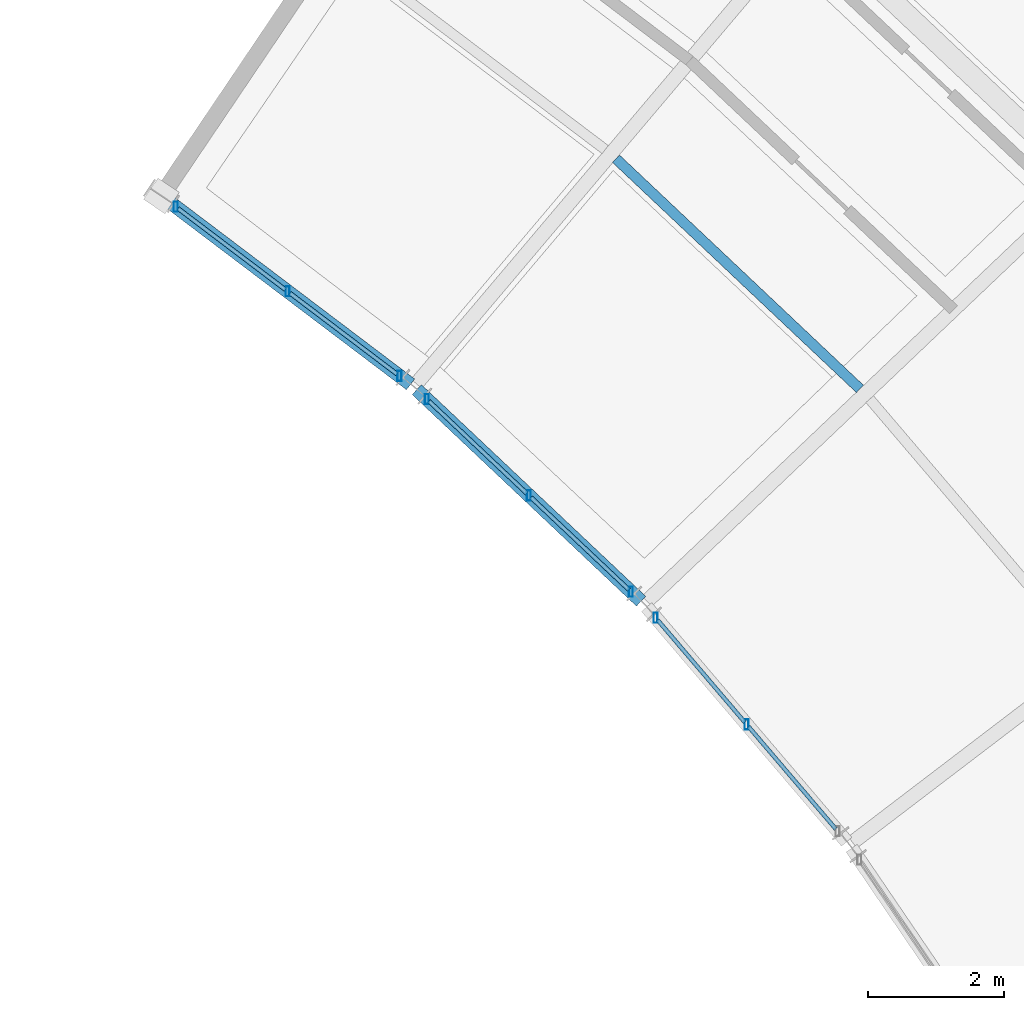
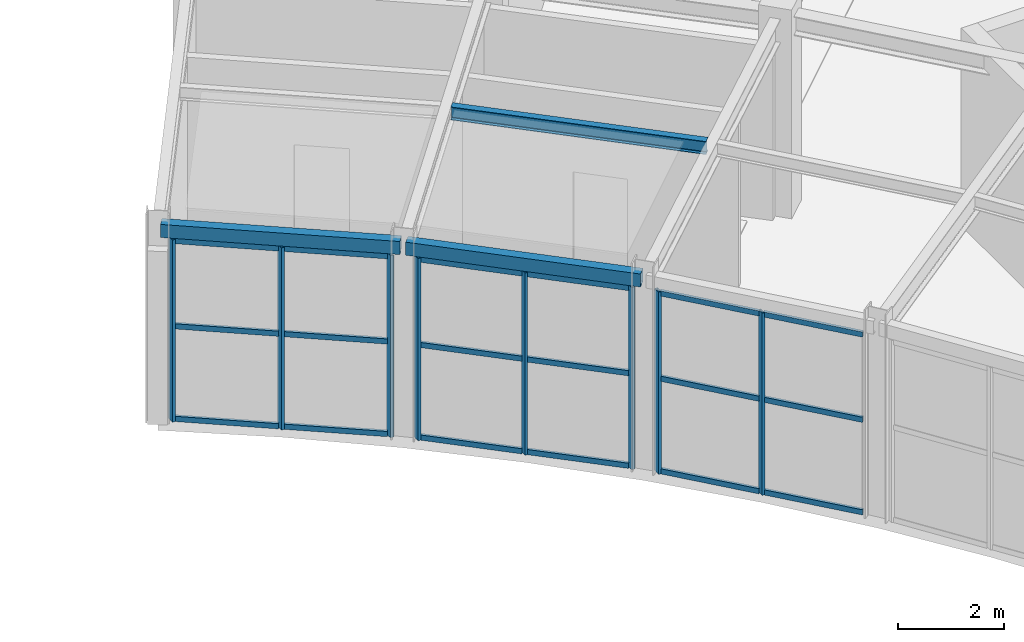
# One storey, part 74 of 108: 26 members, 3 beams, 3 elements without a shape of their own.
"""IFC4 building model written with IfcOpenShell, lengths in metres."""

from ifc_helpers import new_model, si_unit, direction, frame, origin, origin_2d, place, context, subcontext, project, spatial, hollow_rectangle, i_section, extrude, material, material_profile, profile_set, type_object, element, aggregate, save


model = new_model("IFC4")

# Units and contexts
model_context = context("Model", 3, precision=1e-05, world=origin(), true_north=direction((0.0, 1.0)))
body_context = subcontext(model_context, "Body", "Model", "MODEL_VIEW")
ifc_project = project(units=[si_unit("LENGTHUNIT", "METRE"), si_unit("AREAUNIT", "SQUARE_METRE"), si_unit("VOLUMEUNIT", "CUBIC_METRE"), si_unit("PLANEANGLEUNIT", "RADIAN"), si_unit("MASSUNIT", "GRAM", prefix="KILO")], contexts=[model_context])

# Site, building, storey
site_placement = place(None, origin())
site = spatial("IfcSite", under=ifc_project, at=site_placement, CompositionType="ELEMENT")
building_placement = place(site_placement, origin())
building = spatial("IfcBuilding", under=site, at=building_placement, Name="Tarnveldt Headland Concert Hall", CompositionType="ELEMENT")
storey_placement = place(building_placement, frame((0.0, 0.0, 9.60009765625)))
storey = spatial("IfcBuildingStorey", under=building, at=storey_placement, Name="L02", CompositionType="ELEMENT", Elevation=9.60009765625)

# Curtain wall, members
ifc_material_1 = material(Name="Marine-anodised aluminium EN AW-6063-T6", Category="aluminium")
curtain_wall_type = type_object("IfcCurtainWallType", Name="CW-C3", PredefinedType="NOTDEFINED", material=ifc_material_1)
curtain_wall_1_placement = place(storey_placement, origin())
curtain_wall_1 = element("IfcCurtainWall", 1, at=curtain_wall_1_placement, inside=storey, type_object=curtain_wall_type, Name="Curtain wall CW-L02-133", PredefinedType="NOTDEFINED")
ifc_material_profile_1 = material_profile(ifc_material_1, hollow_rectangle(XDim=0.06005859375, YDim=0.14990234375, WallThickness=0.00390625, at=origin_2d()), Name="ALU MULLION 60x150x4", Category="aluminium")
ifc_profile_set_1 = profile_set([ifc_material_profile_1], Name="Marine-anodised aluminium EN AW-6063-T6")
member_type_1 = type_object("IfcMemberType", Name="ML-150", PredefinedType="MULLION", material=ifc_profile_set_1)
member_1_placement = place(storey_placement, frame((150.17626953125, 87.853515625, 0.0), z_axis=(0.0, 0.0, 1.0), x_axis=(1.0, 0.0, 0.0)))
member_1 = element("IfcMember", 2, at=member_1_placement, type_object=member_type_1, Name="Mullion CW-L02-133-2", PredefinedType="MULLION", context=body_context, shape_type="SweptSolid", body=[
    extrude(hollow_rectangle(XDim=0.06005859375, YDim=0.14990234375, WallThickness=0.00390625, at=origin_2d()), origin(), (0.0, 0.0, 1.0), 4.18994140625),
])
member_2_placement = place(storey_placement, frame((148.834228515625, 89.427734375, 0.0), z_axis=(0.0, 0.0, 1.0), x_axis=(1.0, 0.0, 0.0)))
member_2 = element("IfcMember", 3, at=member_2_placement, type_object=member_type_1, Name="Mullion CW-L02-133-3", PredefinedType="MULLION", context=body_context, shape_type="SweptSolid", body=[
    extrude(hollow_rectangle(XDim=0.06005859375, YDim=0.14990234375, WallThickness=0.00390625, at=origin_2d()), origin(), (0.0, 0.0, 1.0), 4.18994140625),
])

curtain_wall_2_placement = place(storey_placement, origin())
curtain_wall_2 = element("IfcCurtainWall", 4, at=curtain_wall_2_placement, inside=storey, type_object=curtain_wall_type, Name="Curtain wall CW-L02-134", PredefinedType="NOTDEFINED")
member_3_placement = place(storey_placement, frame((148.469482421875, 89.811279296875, 0.0), z_axis=(0.0, 0.0, 1.0), x_axis=(1.0, 0.0, 0.0)))
member_3 = element("IfcMember", 5, at=member_3_placement, type_object=member_type_1, Name="Mullion CW-L02-134-1", PredefinedType="MULLION", context=body_context, shape_type="SweptSolid", body=[
    extrude(hollow_rectangle(XDim=0.06005859375, YDim=0.14990234375, WallThickness=0.00390625, at=origin_2d()), origin(), (0.0, 0.0, 1.0), 4.18994140625),
])
member_4_placement = place(storey_placement, frame((146.96484375, 91.23095703125, 0.0), z_axis=(0.0, 0.0, 1.0), x_axis=(1.0, 0.0, 0.0)))
member_4 = element("IfcMember", 6, at=member_4_placement, type_object=member_type_1, Name="Mullion CW-L02-134-2", PredefinedType="MULLION", context=body_context, shape_type="SweptSolid", body=[
    extrude(hollow_rectangle(XDim=0.06005859375, YDim=0.14990234375, WallThickness=0.00390625, at=origin_2d()), origin(), (0.0, 0.0, 1.0), 4.18994140625),
])
member_5_placement = place(storey_placement, frame((145.460205078125, 92.650634765625, 0.0), z_axis=(0.0, 0.0, 1.0), x_axis=(1.0, 0.0, 0.0)))
member_5 = element("IfcMember", 7, at=member_5_placement, type_object=member_type_1, Name="Mullion CW-L02-134-3", PredefinedType="MULLION", context=body_context, shape_type="SweptSolid", body=[
    extrude(hollow_rectangle(XDim=0.06005859375, YDim=0.14990234375, WallThickness=0.00390625, at=origin_2d()), origin(), (0.0, 0.0, 1.0), 4.18994140625),
])

curtain_wall_3_placement = place(storey_placement, origin())
curtain_wall_3 = element("IfcCurtainWall", 8, at=curtain_wall_3_placement, inside=storey, type_object=curtain_wall_type, Name="Curtain wall CW-L02-135", PredefinedType="NOTDEFINED")
member_6_placement = place(storey_placement, frame((145.05615234375, 92.992431640625, 0.0), z_axis=(0.0, 0.0, 1.0), x_axis=(1.0, 0.0, 0.0)))
member_6 = element("IfcMember", 9, at=member_6_placement, type_object=member_type_1, Name="Mullion CW-L02-135-1", PredefinedType="MULLION", context=body_context, shape_type="SweptSolid", body=[
    extrude(hollow_rectangle(XDim=0.06005859375, YDim=0.14990234375, WallThickness=0.00390625, at=origin_2d()), origin(), (0.0, 0.0, 1.0), 4.18994140625),
])
member_7_placement = place(storey_placement, frame((143.40625, 94.240478515625, 0.0), z_axis=(0.0, 0.0, 1.0), x_axis=(1.0, 0.0, 0.0)))
member_7 = element("IfcMember", 10, at=member_7_placement, type_object=member_type_1, Name="Mullion CW-L02-135-2", PredefinedType="MULLION", context=body_context, shape_type="SweptSolid", body=[
    extrude(hollow_rectangle(XDim=0.06005859375, YDim=0.14990234375, WallThickness=0.00390625, at=origin_2d()), origin(), (0.0, 0.0, 1.0), 4.18994140625),
])
member_8_placement = place(storey_placement, frame((141.756591796875, 95.48876953125, 0.0), z_axis=(0.0, 0.0, 1.0), x_axis=(1.0, 0.0, 0.0)))
member_8 = element("IfcMember", 11, at=member_8_placement, type_object=member_type_1, Name="Mullion CW-L02-135-3", PredefinedType="MULLION", context=body_context, shape_type="SweptSolid", body=[
    extrude(hollow_rectangle(XDim=0.06005859375, YDim=0.14990234375, WallThickness=0.00390625, at=origin_2d()), origin(), (0.0, 0.0, 1.0), 4.18994140625),
])

# Beams
ifc_material_2 = material(Name="Steel S355", Category="steel")
ifc_material_profile_2 = material_profile(ifc_material_2, i_section(OverallWidth=0.14990234375, OverallDepth=0.300048828125, WebThickness=0.007080078125, FlangeThickness=0.0107421875, FilletRadius=0.014892578125, at=origin_2d()), Name="IPE300", Category="steel")
ifc_profile_set_2 = profile_set([ifc_material_profile_2], Name="Steel S355")
beam_type_1 = type_object("IfcBeamType", Name="SB-IPE300", PredefinedType="JOIST", material=ifc_profile_set_2)
beam_1_placement = place(storey_placement, frame((151.84716796875, 92.80224609375, 4.39990234375), z_axis=(-0.727367617493, 0.686248022965, 0.0), x_axis=(-0.686248022965, -0.727367617493, 0.0)))
element("IfcBeam", 12, at=beam_1_placement, inside=storey, type_object=beam_type_1, Name="Framing beam L02-1155", PredefinedType="JOIST", context=body_context, shape_type="SweptSolid", body=[
    extrude(i_section(OverallWidth=0.14990234375, OverallDepth=0.300048828125, WebThickness=0.007080078125, FlangeThickness=0.0107421875, FilletRadius=0.014892578125, at=origin_2d()), origin(), (0.0, 0.0, 1.0), 4.94580078125),
])
ifc_material_profile_3 = material_profile(ifc_material_2, hollow_rectangle(XDim=0.199951171875, YDim=0.300048828125, WallThickness=0.012451171875, at=origin_2d()), Name="RHS 300x200x12.5", Category="steel")
ifc_profile_set_3 = profile_set([ifc_material_profile_3], Name="Steel S355")
beam_type_2 = type_object("IfcBeamType", Name="SB-RHS300", PredefinedType="SPANDREL", material=ifc_profile_set_3)
beam_2_placement = place(storey_placement, frame((148.618896484375, 89.670654296875, 4.39990234375), z_axis=(-0.72739567497, 0.686218283081, 0.0), x_axis=(-0.686218283081, -0.72739567497, 0.0)))
element("IfcBeam", 13, at=beam_2_placement, inside=storey, type_object=beam_type_2, Name="Framing beam L02-1152", PredefinedType="SPANDREL", context=body_context, shape_type="SweptSolid", body=[
    extrude(hollow_rectangle(XDim=0.199951171875, YDim=0.300048828125, WallThickness=0.012451171875, at=origin_2d()), origin(), (0.0, 0.0, 1.0), 4.547607421875),
])
beam_3_placement = place(storey_placement, frame((145.219482421875, 92.86865234375, 4.39990234375), z_axis=(-0.797480390637, 0.603344865355, 0.0), x_axis=(-0.603344865355, -0.797480390637, 0.0)))
element("IfcBeam", 14, at=beam_3_placement, inside=storey, type_object=beam_type_2, Name="Framing beam L02-1159", PredefinedType="SPANDREL", context=body_context, shape_type="SweptSolid", body=[
    extrude(hollow_rectangle(XDim=0.199951171875, YDim=0.300048828125, WallThickness=0.012451171875, at=origin_2d()), origin(), (0.0, 0.0, 1.0), 4.54736328125),
])

# Member
ifc_material_profile_4 = material_profile(ifc_material_1, hollow_rectangle(XDim=0.06005859375, YDim=0.1201171875, WallThickness=0.00390625, at=origin_2d()), Name="ALU TRANSOM 60x120x4", Category="aluminium")
ifc_profile_set_4 = profile_set([ifc_material_profile_4], Name="Marine-anodised aluminium EN AW-6063-T6")
member_type_2 = type_object("IfcMemberType", Name="TR-110", PredefinedType="MEMBER", material=ifc_profile_set_4)
member_9_placement = place(storey_placement, frame((151.4912109375, 86.31103515625, 0.0498046875), z_axis=(-0.648722497747, 0.761025046182, 0.0), x_axis=(-0.761025046182, -0.648722497747, 0.0)))
member_9 = element("IfcMember", 15, at=member_9_placement, type_object=member_type_2, Name="Transom CW-L02-133-1-1", PredefinedType="MEMBER", context=body_context, shape_type="SweptSolid", body=[
    extrude(hollow_rectangle(XDim=0.06005859375, YDim=0.1201171875, WallThickness=0.00390625, at=origin_2d()), origin(), (0.0, 0.0, 1.0), 1.98486328125),
])

member_10_placement = place(storey_placement, frame((151.4912109375, 86.31103515625, 2.1787109375), z_axis=(-0.648722497747, 0.761025046182, 0.0), x_axis=(-0.761025046182, -0.648722497747, 0.0)))
member_10 = element("IfcMember", 16, at=member_10_placement, type_object=member_type_2, Name="Transom CW-L02-133-1-2", PredefinedType="MEMBER", context=body_context, shape_type="SweptSolid", body=[
    extrude(hollow_rectangle(XDim=0.06005859375, YDim=0.1201171875, WallThickness=0.00390625, at=origin_2d()), origin(), (0.0, 0.0, 1.0), 1.98486328125),
])

member_11_placement = place(storey_placement, frame((151.4912109375, 86.31103515625, 4.139892578125), z_axis=(-0.648722497747, 0.761025046182, 0.0), x_axis=(-0.761025046182, -0.648722497747, 0.0)))
member_11 = element("IfcMember", 17, at=member_11_placement, type_object=member_type_2, Name="Transom CW-L02-133-1-3", PredefinedType="MEMBER", context=body_context, shape_type="SweptSolid", body=[
    extrude(hollow_rectangle(XDim=0.06005859375, YDim=0.1201171875, WallThickness=0.00390625, at=origin_2d()), origin(), (0.0, 0.0, 1.0), 1.98486328125),
])

member_12_placement = place(storey_placement, frame((150.149169921875, 87.885498046875, 0.0498046875), z_axis=(-0.648783227656, 0.760973273849, 0.0), x_axis=(-0.760973273849, -0.648783227656, 0.0)))
member_12 = element("IfcMember", 18, at=member_12_placement, type_object=member_type_2, Name="Transom CW-L02-133-2-1", PredefinedType="MEMBER", context=body_context, shape_type="SweptSolid", body=[
    extrude(hollow_rectangle(XDim=0.06005859375, YDim=0.1201171875, WallThickness=0.00390625, at=origin_2d()), origin(), (0.0, 0.0, 1.0), 1.984619140625),
])

member_13_placement = place(storey_placement, frame((150.149169921875, 87.885498046875, 2.1787109375), z_axis=(-0.648783227656, 0.760973273849, 0.0), x_axis=(-0.760973273849, -0.648783227656, 0.0)))
member_13 = element("IfcMember", 19, at=member_13_placement, type_object=member_type_2, Name="Transom CW-L02-133-2-2", PredefinedType="MEMBER", context=body_context, shape_type="SweptSolid", body=[
    extrude(hollow_rectangle(XDim=0.06005859375, YDim=0.1201171875, WallThickness=0.00390625, at=origin_2d()), origin(), (0.0, 0.0, 1.0), 1.984619140625),
])

member_14_placement = place(storey_placement, frame((150.149169921875, 87.885498046875, 4.139892578125), z_axis=(-0.648783227656, 0.760973273849, 0.0), x_axis=(-0.760973273849, -0.648783227656, 0.0)))
member_14 = element("IfcMember", 20, at=member_14_placement, type_object=member_type_2, Name="Transom CW-L02-133-2-3", PredefinedType="MEMBER", context=body_context, shape_type="SweptSolid", body=[
    extrude(hollow_rectangle(XDim=0.06005859375, YDim=0.1201171875, WallThickness=0.00390625, at=origin_2d()), origin(), (0.0, 0.0, 1.0), 1.984619140625),
])

aggregate(curtain_wall_1, [member_1, member_2, member_9, member_10, member_11, member_12, member_13, member_14])

member_15_placement = place(storey_placement, frame((148.439208984375, 89.840087890625, 0.0498046875), z_axis=(-0.727408711392, 0.686204464129, 0.0), x_axis=(-0.686204464129, -0.727408711392, 0.0)))
member_15 = element("IfcMember", 21, at=member_15_placement, type_object=member_type_2, Name="Transom CW-L02-134-1-1", PredefinedType="MEMBER", context=body_context, shape_type="SweptSolid", body=[
    extrude(hollow_rectangle(XDim=0.06005859375, YDim=0.1201171875, WallThickness=0.00390625, at=origin_2d()), origin(), (0.0, 0.0, 1.0), 1.98486328125),
])

member_16_placement = place(storey_placement, frame((148.439208984375, 89.840087890625, 2.1787109375), z_axis=(-0.727408711392, 0.686204464129, 0.0), x_axis=(-0.686204464129, -0.727408711392, 0.0)))
member_16 = element("IfcMember", 22, at=member_16_placement, type_object=member_type_2, Name="Transom CW-L02-134-1-2", PredefinedType="MEMBER", context=body_context, shape_type="SweptSolid", body=[
    extrude(hollow_rectangle(XDim=0.06005859375, YDim=0.1201171875, WallThickness=0.00390625, at=origin_2d()), origin(), (0.0, 0.0, 1.0), 1.98486328125),
])

member_17_placement = place(storey_placement, frame((148.439208984375, 89.840087890625, 4.139892578125), z_axis=(-0.727408711392, 0.686204464129, 0.0), x_axis=(-0.686204464129, -0.727408711392, 0.0)))
member_17 = element("IfcMember", 23, at=member_17_placement, type_object=member_type_2, Name="Transom CW-L02-134-1-3", PredefinedType="MEMBER", context=body_context, shape_type="SweptSolid", body=[
    extrude(hollow_rectangle(XDim=0.06005859375, YDim=0.1201171875, WallThickness=0.00390625, at=origin_2d()), origin(), (0.0, 0.0, 1.0), 1.98486328125),
])

member_18_placement = place(storey_placement, frame((146.934326171875, 91.259765625, 0.0498046875), z_axis=(-0.727350786859, 0.686265861642, 0.0), x_axis=(-0.686265861642, -0.727350786859, 0.0)))
member_18 = element("IfcMember", 24, at=member_18_placement, type_object=member_type_2, Name="Transom CW-L02-134-2-1", PredefinedType="MEMBER", context=body_context, shape_type="SweptSolid", body=[
    extrude(hollow_rectangle(XDim=0.06005859375, YDim=0.1201171875, WallThickness=0.00390625, at=origin_2d()), origin(), (0.0, 0.0, 1.0), 1.98486328125),
])

member_19_placement = place(storey_placement, frame((146.934326171875, 91.259765625, 2.1787109375), z_axis=(-0.727350786859, 0.686265861642, 0.0), x_axis=(-0.686265861642, -0.727350786859, 0.0)))
member_19 = element("IfcMember", 25, at=member_19_placement, type_object=member_type_2, Name="Transom CW-L02-134-2-2", PredefinedType="MEMBER", context=body_context, shape_type="SweptSolid", body=[
    extrude(hollow_rectangle(XDim=0.06005859375, YDim=0.1201171875, WallThickness=0.00390625, at=origin_2d()), origin(), (0.0, 0.0, 1.0), 1.98486328125),
])

member_20_placement = place(storey_placement, frame((146.934326171875, 91.259765625, 4.139892578125), z_axis=(-0.727350786859, 0.686265861642, 0.0), x_axis=(-0.686265861642, -0.727350786859, 0.0)))
member_20 = element("IfcMember", 26, at=member_20_placement, type_object=member_type_2, Name="Transom CW-L02-134-2-3", PredefinedType="MEMBER", context=body_context, shape_type="SweptSolid", body=[
    extrude(hollow_rectangle(XDim=0.06005859375, YDim=0.1201171875, WallThickness=0.00390625, at=origin_2d()), origin(), (0.0, 0.0, 1.0), 1.98486328125),
])

aggregate(curtain_wall_2, [member_3, member_4, member_5, member_15, member_16, member_17, member_18, member_19, member_20])

member_21_placement = place(storey_placement, frame((145.022705078125, 93.017578125, 0.0498046875), z_axis=(-0.797513545651, 0.6033010397, 0.0), x_axis=(-0.6033010397, -0.797513545651, 0.0)))
member_21 = element("IfcMember", 27, at=member_21_placement, type_object=member_type_2, Name="Transom CW-L02-135-1-1", PredefinedType="MEMBER", context=body_context, shape_type="SweptSolid", body=[
    extrude(hollow_rectangle(XDim=0.06005859375, YDim=0.1201171875, WallThickness=0.00390625, at=origin_2d()), origin(), (0.0, 0.0, 1.0), 1.98486328125),
])

member_22_placement = place(storey_placement, frame((145.022705078125, 93.017578125, 2.1787109375), z_axis=(-0.797513545651, 0.6033010397, 0.0), x_axis=(-0.6033010397, -0.797513545651, 0.0)))
member_22 = element("IfcMember", 28, at=member_22_placement, type_object=member_type_2, Name="Transom CW-L02-135-1-2", PredefinedType="MEMBER", context=body_context, shape_type="SweptSolid", body=[
    extrude(hollow_rectangle(XDim=0.06005859375, YDim=0.1201171875, WallThickness=0.00390625, at=origin_2d()), origin(), (0.0, 0.0, 1.0), 1.98486328125),
])

member_23_placement = place(storey_placement, frame((145.022705078125, 93.017578125, 4.139892578125), z_axis=(-0.797513545651, 0.6033010397, 0.0), x_axis=(-0.6033010397, -0.797513545651, 0.0)))
member_23 = element("IfcMember", 29, at=member_23_placement, type_object=member_type_2, Name="Transom CW-L02-135-1-3", PredefinedType="MEMBER", context=body_context, shape_type="SweptSolid", body=[
    extrude(hollow_rectangle(XDim=0.06005859375, YDim=0.1201171875, WallThickness=0.00390625, at=origin_2d()), origin(), (0.0, 0.0, 1.0), 1.98486328125),
])

member_24_placement = place(storey_placement, frame((143.372802734375, 94.265869140625, 0.0498046875), z_axis=(-0.797468771525, 0.603360222787, 0.0), x_axis=(-0.603360222787, -0.797468771525, 0.0)))
member_24 = element("IfcMember", 30, at=member_24_placement, type_object=member_type_2, Name="Transom CW-L02-135-2-1", PredefinedType="MEMBER", context=body_context, shape_type="SweptSolid", body=[
    extrude(hollow_rectangle(XDim=0.06005859375, YDim=0.1201171875, WallThickness=0.00390625, at=origin_2d()), origin(), (0.0, 0.0, 1.0), 1.984619140625),
])

member_25_placement = place(storey_placement, frame((143.372802734375, 94.265869140625, 2.1787109375), z_axis=(-0.797468771525, 0.603360222787, 0.0), x_axis=(-0.603360222787, -0.797468771525, 0.0)))
member_25 = element("IfcMember", 31, at=member_25_placement, type_object=member_type_2, Name="Transom CW-L02-135-2-2", PredefinedType="MEMBER", context=body_context, shape_type="SweptSolid", body=[
    extrude(hollow_rectangle(XDim=0.06005859375, YDim=0.1201171875, WallThickness=0.00390625, at=origin_2d()), origin(), (0.0, 0.0, 1.0), 1.984619140625),
])

member_26_placement = place(storey_placement, frame((143.372802734375, 94.265869140625, 4.139892578125), z_axis=(-0.797468771525, 0.603360222787, 0.0), x_axis=(-0.603360222787, -0.797468771525, 0.0)))
member_26 = element("IfcMember", 32, at=member_26_placement, type_object=member_type_2, Name="Transom CW-L02-135-2-3", PredefinedType="MEMBER", context=body_context, shape_type="SweptSolid", body=[
    extrude(hollow_rectangle(XDim=0.06005859375, YDim=0.1201171875, WallThickness=0.00390625, at=origin_2d()), origin(), (0.0, 0.0, 1.0), 1.984619140625),
])

aggregate(curtain_wall_3, [member_6, member_7, member_8, member_21, member_22, member_23, member_24, member_25, member_26])

save(model, "model.ifc")
